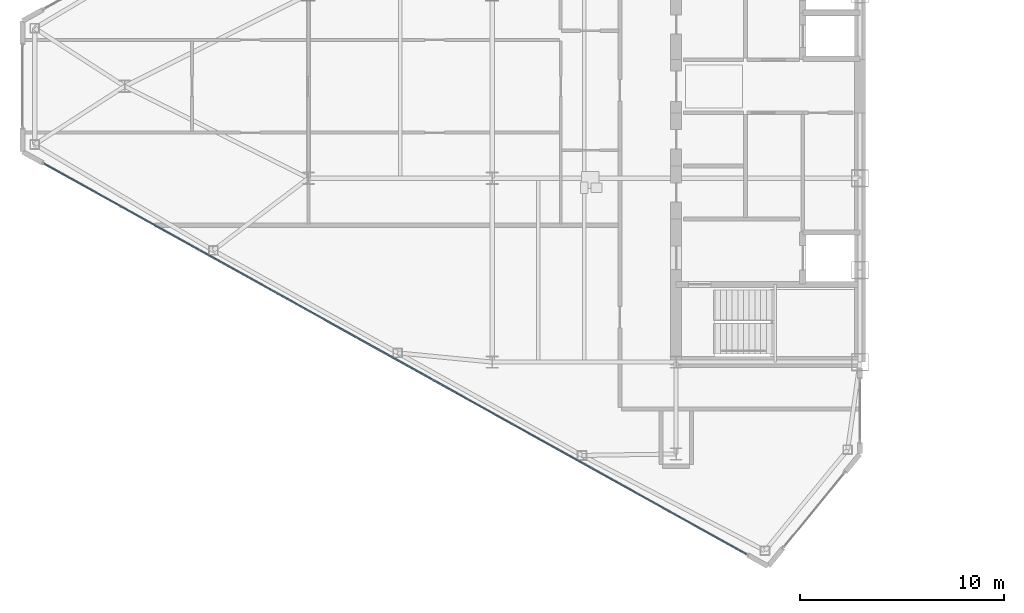
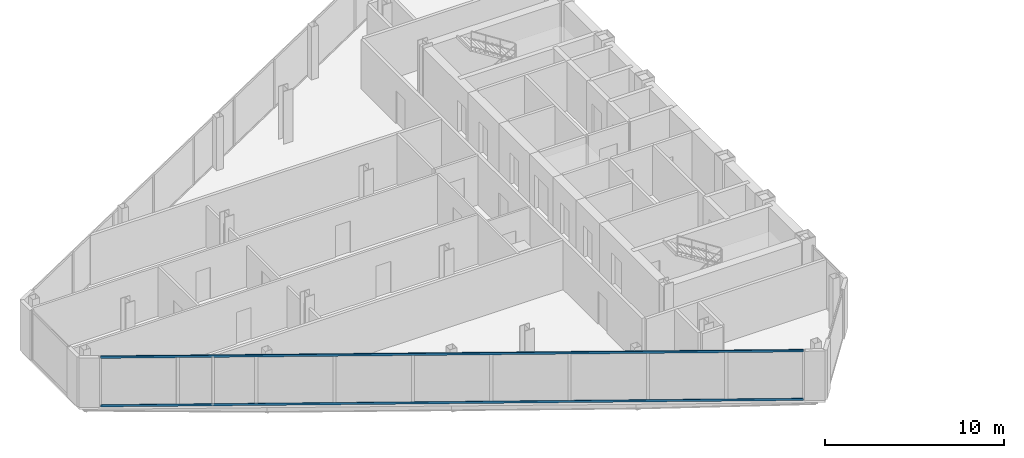
# One storey, part 4 of 26: 2 members, 1 element without a shape of its own.
"""IFC4 building model written with IfcOpenShell, lengths in metres."""

from ifc_helpers import new_model, si_unit, direction, frame, origin, origin_2d, place, context, subcontext, project, spatial, rectangle, extrude, source, transform, mapped, material, layer, layer_set, material_profile, profile_set, type_object, type_shapes, element, aggregate, save


model = new_model("IFC4")

# Units and contexts
model_context = context("Model", 3, precision=1e-05, world=origin(), true_north=direction((0.0, 1.0)))
body_context = subcontext(model_context, "Body", "Model", "MODEL_VIEW")
ifc_project = project(units=[si_unit("LENGTHUNIT", "METRE"), si_unit("AREAUNIT", "SQUARE_METRE"), si_unit("VOLUMEUNIT", "CUBIC_METRE"), si_unit("PLANEANGLEUNIT", "RADIAN"), si_unit("MASSUNIT", "GRAM", prefix="KILO")], contexts=[model_context])

# Site, building, storey
site_placement = place(None, origin())
site = spatial("IfcSite", under=ifc_project, at=site_placement, CompositionType="ELEMENT")
building_placement = place(site_placement, origin())
building = spatial("IfcBuilding", under=site, at=building_placement, Name="Seokmaru Belvedere", CompositionType="ELEMENT")
storey_placement = place(building_placement, frame((0.0, 0.0, 192.300048828125)))
storey = spatial("IfcBuildingStorey", under=building, at=storey_placement, Name="L51", CompositionType="ELEMENT", Elevation=192.300048828125)

# Curtain wall, members
ifc_material_1 = material(Name="Bronze Triple Insulating Glass", Category="glass")
ifc_layer = layer(ifc_material_1, 0.179931640625)
ifc_layer_set = layer_set([ifc_layer], Name="Bronze Triple Insulating Glass")
curtain_wall_type = type_object("IfcCurtainWallType", Name="High-Rise Wind-Corner Curtain Wall System CW-5", PredefinedType="NOTDEFINED", material=ifc_layer_set)
curtain_wall_placement = place(storey_placement, origin())
curtain_wall = element("IfcCurtainWall", 1, at=curtain_wall_placement, inside=storey, type_object=curtain_wall_type, Name="L51 Curtain Wall WF5", PredefinedType="NOTDEFINED")
ifc_material_2 = material(Name="Anodised Bronze Aluminium", Category="aluminium")
ifc_material_profile = material_profile(ifc_material_2, rectangle(XDim=0.06494140625, YDim=0.14990234375, at=origin_2d()), Name="CW-T-65x150")
ifc_profile_set = profile_set([ifc_material_profile], Name="Anodised Bronze Aluminium")
member_type = type_object("IfcMemberType", Name="Bronze Unitised Transom 65x150", PredefinedType="USERDEFINED", material=ifc_profile_set)
shared_shape = source(origin(), body_context, "Body", "SweptSolid", [
    extrude(rectangle(XDim=0.06494140625, YDim=0.14990234375, at=origin_2d()), origin(), (0.0, 0.0, 1.0), 39.33544921875),
])
type_shapes(member_type, [shared_shape])
member_1_placement = place(storey_placement, frame((-67.438232421875, -3.79052734375, 0.032470703125), z_axis=(0.873932045133, -0.486048125693, 0.0), x_axis=(0.486048125693, 0.873932045133, 0.0)))
member_1 = element("IfcMember", 2, at=member_1_placement, type_object=member_type, Name="CW:L51:WF5 Continuous Transom 1", ObjectType="TRANSOM", PredefinedType="USERDEFINED", context=body_context, shape_type="MappedRepresentation", body=[
    mapped(shared_shape, transform((0.0, 0.0, 0.0), scale=1.0)),
])
member_2_placement = place(storey_placement, frame((-67.438232421875, -3.79052734375, 3.347412109375), z_axis=(0.873932045133, -0.486048125693, 0.0), x_axis=(0.486048125693, 0.873932045133, 0.0)))
member_2 = element("IfcMember", 3, at=member_2_placement, type_object=member_type, Name="CW:L51:WF5 Continuous Transom 2", ObjectType="TRANSOM", PredefinedType="USERDEFINED", context=body_context, shape_type="MappedRepresentation", body=[
    mapped(shared_shape, transform((0.0, 0.0, 0.0), scale=1.0)),
])
aggregate(curtain_wall, [member_1, member_2])

save(model, "model.ifc")
